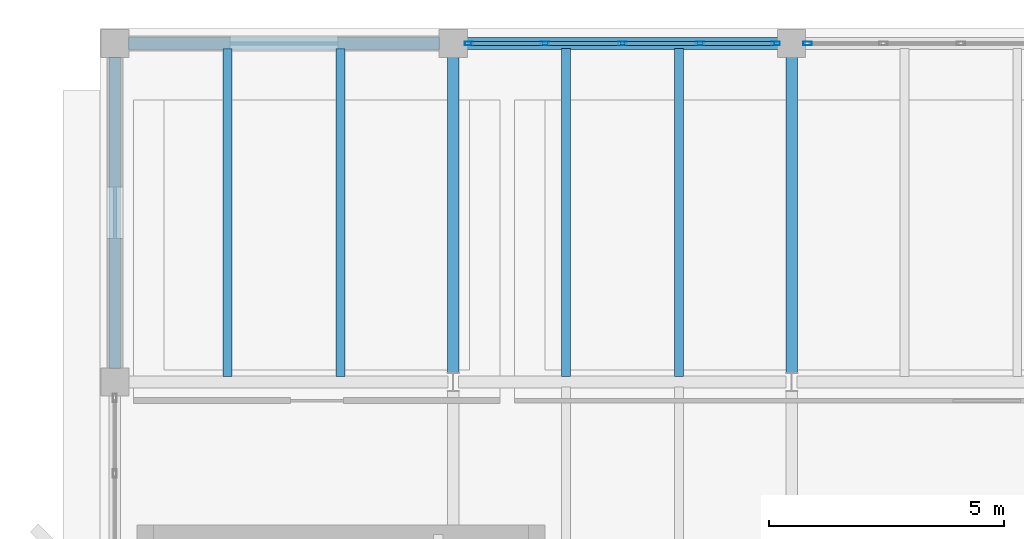
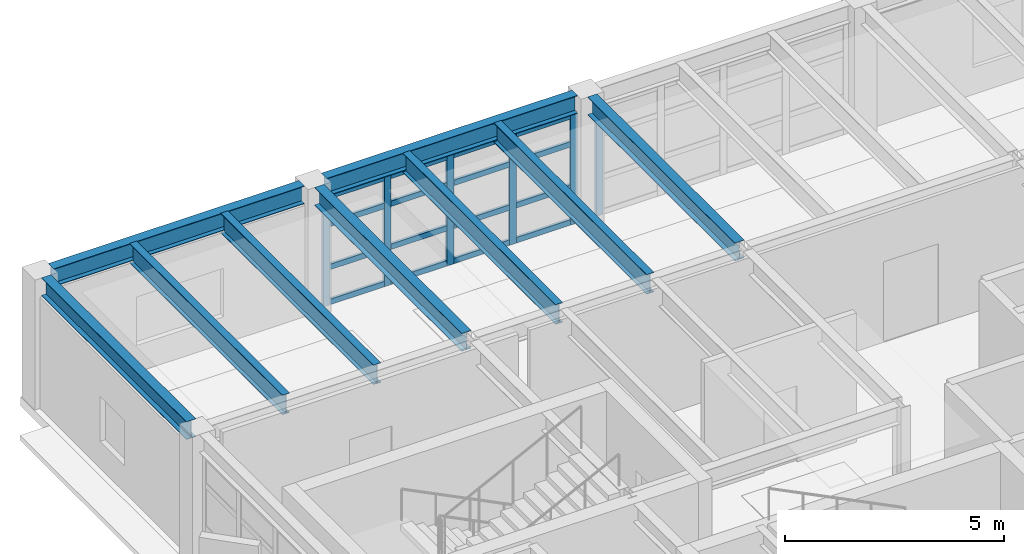
# One storey, part 8 of 19: 22 members, 9 beams, 2 elements without a shape of their own.
"""IFC4 building model written with IfcOpenShell, lengths in metres."""

from ifc_helpers import new_model, si_unit, direction, frame, origin, origin_2d, place, context, subcontext, project, spatial, hollow_rectangle, i_section, extrude, material, layer, layer_set, material_profile, profile_set, type_object, element, aggregate, save


model = new_model("IFC4")

# Units and contexts
model_context = context("Model", 3, precision=1e-05, world=origin(), true_north=direction((0.0, 1.0)))
body_context = subcontext(model_context, "Body", "Model", "MODEL_VIEW")
ifc_project = project(units=[si_unit("LENGTHUNIT", "METRE"), si_unit("AREAUNIT", "SQUARE_METRE"), si_unit("VOLUMEUNIT", "CUBIC_METRE"), si_unit("PLANEANGLEUNIT", "RADIAN"), si_unit("MASSUNIT", "GRAM", prefix="KILO")], contexts=[model_context])

# Site, building, storey
site_placement = place(None, origin())
site = spatial("IfcSite", under=ifc_project, at=site_placement, CompositionType="ELEMENT")
building_placement = place(site_placement, origin())
building = spatial("IfcBuilding", under=site, at=building_placement, Name="Kandorven Conservatory and Botanical Research Centre", CompositionType="ELEMENT")
storey_placement = place(building_placement, frame((0.0, 0.0, 28.800048828125)))
storey = spatial("IfcBuildingStorey", under=building, at=storey_placement, Name="L07", CompositionType="ELEMENT", Elevation=28.800048828125)

# Beams
ifc_material_1 = material(Name="Steel S355 (IS 2062 E350)", Category="steel")
ifc_material_profile_1 = material_profile(ifc_material_1, i_section(OverallWidth=0.25, OverallDepth=0.5, WebThickness=0.010009765625, FlangeThickness=0.0146484375, at=origin_2d()))
ifc_profile_set_1 = profile_set([ifc_material_profile_1], Name="Steel S355 (IS 2062 E350)")
beam_type_1 = type_object("IfcBeamType", Name="Beam_FG-02", PredefinedType="USERDEFINED", material=ifc_profile_set_1)
beam_placement = place(storey_placement, frame((6.2900390625, 34.800048828125, 3.369873046875), z_axis=(1.0, 0.0, 0.0), x_axis=(0.0, 1.0, 0.0)))
element("IfcBeam", 1, at=beam_placement, inside=storey, type_object=beam_type_1, Name="Primary girder FG-02 TWR L07", ObjectType="GIRDER", PredefinedType="USERDEFINED", context=body_context, shape_type="SweptSolid", body=[
    extrude(i_section(OverallWidth=0.25, OverallDepth=0.5, WebThickness=0.010009765625, FlangeThickness=0.0146484375, at=origin_2d()), origin(), (0.0, 0.0, 1.0), 6.619873046875),
])
for number, where, z_axis, x_axis, name in (
    (2, (13.489990234375, 34.800048828125, 3.369873046875), (1.0, 0.0, 0.0), (0.0, 1.0, 0.0), "Primary girder FG-02 TWR L07"),
    (3, (6.0, 27.889892578125, 3.369873046875), (0.0, 1.0, 0.0), (-1.0, 0.0, 0.0), "Primary girder FG-02 TWR L07"),
):
    element("IfcBeam", number, at=place(storey_placement, frame(where, z_axis=z_axis, x_axis=x_axis)), inside=storey, type_object=beam_type_1, Name=name, ObjectType="GIRDER", PredefinedType="USERDEFINED", context=body_context, shape_type="SweptSolid", body=[
        extrude(i_section(OverallWidth=0.25, OverallDepth=0.5, WebThickness=0.010009765625, FlangeThickness=0.0146484375, at=origin_2d()), origin(), (0.0, 0.0, 1.0), 6.6201171875),
    ])
for number, where, z_axis, x_axis, name in (
    (4, (13.199951171875, 27.7900390625, 3.369873046875), (0.0, 1.0, 0.0), (-1.0, 0.0, 0.0), "Primary girder FG-02 TWR L07"),
    (5, (20.39990234375, 27.7900390625, 3.369873046875), (0.0, 1.0, 0.0), (-1.0, 0.0, 0.0), "Primary girder FG-02 TWR L07"),
):
    element("IfcBeam", number, at=place(storey_placement, frame(where, z_axis=z_axis, x_axis=x_axis)), inside=storey, type_object=beam_type_1, Name=name, ObjectType="GIRDER", PredefinedType="USERDEFINED", context=body_context, shape_type="SweptSolid", body=[
        extrude(i_section(OverallWidth=0.25, OverallDepth=0.5, WebThickness=0.010009765625, FlangeThickness=0.0146484375, at=origin_2d()), origin(), (0.0, 0.0, 1.0), 6.719970703125),
    ])
ifc_material_2 = material(Name="Steel S355 (IS 2062 E350)", Category="steel")
ifc_material_profile_2 = material_profile(ifc_material_2, i_section(OverallWidth=0.18994140625, OverallDepth=0.550048828125, WebThickness=0.01123046875, FlangeThickness=0.019287109375, at=origin_2d()))
ifc_profile_set_2 = profile_set([ifc_material_profile_2], Name="Steel S355 (IS 2062 E350)")
beam_type_2 = type_object("IfcBeamType", Name="Beam_SB-02", PredefinedType="BEAM", material=ifc_profile_set_2)
for number, where, z_axis, x_axis, name in (
    (6, (8.39990234375, 27.7099609375, 3.344970703125), (0.0, 1.0, 0.0), (-1.0, 0.0, 0.0), "Composite secondary beam SB-02 TWR L07"),
    (7, (10.800048828125, 27.7099609375, 3.344970703125), (0.0, 1.0, 0.0), (-1.0, 0.0, 0.0), "Composite secondary beam SB-02 TWR L07"),
    (8, (15.60009765625, 27.7099609375, 3.344970703125), (0.0, 1.0, 0.0), (-1.0, 0.0, 0.0), "Composite secondary beam SB-02 TWR L07"),
    (9, (18.0, 27.7099609375, 3.344970703125), (0.0, 1.0, 0.0), (-1.0, 0.0, 0.0), "Composite secondary beam SB-02 TWR L07"),
):
    element("IfcBeam", number, at=place(storey_placement, frame(where, z_axis=z_axis, x_axis=x_axis)), inside=storey, type_object=beam_type_2, Name=name, PredefinedType="BEAM", context=body_context, shape_type="SweptSolid", body=[
        extrude(i_section(OverallWidth=0.18994140625, OverallDepth=0.550048828125, WebThickness=0.01123046875, FlangeThickness=0.019287109375, at=origin_2d()), origin(), (0.0, 0.0, 1.0), 6.97998046875),
    ])

# Curtain wall, members
ifc_material_3 = material(Name="Bronze anodised thermally broken aluminium", Category="aluminium")
ifc_layer = layer(ifc_material_3, 0.179931640625)
ifc_layer_set = layer_set([ifc_layer], Name="Bronze anodised thermally broken aluminium")
curtain_wall_type = type_object("IfcCurtainWallType", Name="CW_Unitised", PredefinedType="USERDEFINED", material=ifc_layer_set)
curtain_wall_1_placement = place(storey_placement, origin())
curtain_wall_1 = element("IfcCurtainWall", 10, at=curtain_wall_1_placement, inside=storey, type_object=curtain_wall_type, Name="Tower laboratory curtain wall CW-TWR-N-L07-2", ObjectType="UNITISED GLAZING", PredefinedType="USERDEFINED")
ifc_material_4 = material(Name="Bronze anodised thermally broken aluminium", Category="aluminium")
ifc_material_profile_3 = material_profile(ifc_material_4, hollow_rectangle(XDim=0.080078125, YDim=0.179931640625, WallThickness=0.006103515625, at=origin_2d()))
ifc_profile_set_3 = profile_set([ifc_material_profile_3], Name="Bronze anodised thermally broken aluminium")
member_type_1 = type_object("IfcMemberType", Name="CW_Mullion", PredefinedType="MULLION", material=ifc_profile_set_3)
member_1_placement = place(storey_placement, frame((13.5400390625, 34.800048828125, 0.0), z_axis=(0.0, 0.0, 1.0), x_axis=(0.0, 1.0, 0.0)))
member_1 = element("IfcMember", 11, at=member_1_placement, type_object=member_type_1, Name="CW-01 mullion 1", PredefinedType="MULLION", context=body_context, shape_type="SweptSolid", body=[
    extrude(hollow_rectangle(XDim=0.080078125, YDim=0.179931640625, WallThickness=0.006103515625, at=origin_2d()), origin(), (0.0, 0.0, 1.0), 3.099853515625),
])
member_2_placement = place(storey_placement, frame((15.14990234375, 34.800048828125, 0.0), z_axis=(0.0, 0.0, 1.0), x_axis=(0.0, 1.0, 0.0)))
member_2 = element("IfcMember", 12, at=member_2_placement, type_object=member_type_1, Name="CW-01 mullion 2", PredefinedType="MULLION", context=body_context, shape_type="SweptSolid", body=[
    extrude(hollow_rectangle(XDim=0.080078125, YDim=0.179931640625, WallThickness=0.006103515625, at=origin_2d()), origin(), (0.0, 0.0, 1.0), 3.099853515625),
])
member_3_placement = place(storey_placement, frame((16.800048828125, 34.800048828125, 0.0), z_axis=(0.0, 0.0, 1.0), x_axis=(0.0, 1.0, 0.0)))
member_3 = element("IfcMember", 13, at=member_3_placement, type_object=member_type_1, Name="CW-01 mullion 3", PredefinedType="MULLION", context=body_context, shape_type="SweptSolid", body=[
    extrude(hollow_rectangle(XDim=0.080078125, YDim=0.179931640625, WallThickness=0.006103515625, at=origin_2d()), origin(), (0.0, 0.0, 1.0), 3.099853515625),
])
member_4_placement = place(storey_placement, frame((18.449951171875, 34.800048828125, 0.0), z_axis=(0.0, 0.0, 1.0), x_axis=(0.0, 1.0, 0.0)))
member_4 = element("IfcMember", 14, at=member_4_placement, type_object=member_type_1, Name="CW-01 mullion 4", PredefinedType="MULLION", context=body_context, shape_type="SweptSolid", body=[
    extrude(hollow_rectangle(XDim=0.080078125, YDim=0.179931640625, WallThickness=0.006103515625, at=origin_2d()), origin(), (0.0, 0.0, 1.0), 3.099853515625),
])
member_5_placement = place(storey_placement, frame((20.06005859375, 34.800048828125, 0.0), z_axis=(0.0, 0.0, 1.0), x_axis=(0.0, 1.0, 0.0)))
member_5 = element("IfcMember", 15, at=member_5_placement, type_object=member_type_1, Name="CW-01 mullion 5", PredefinedType="MULLION", context=body_context, shape_type="SweptSolid", body=[
    extrude(hollow_rectangle(XDim=0.080078125, YDim=0.179931640625, WallThickness=0.006103515625, at=origin_2d()), origin(), (0.0, 0.0, 1.0), 3.099853515625),
])

# Curtain wall, member
curtain_wall_2_placement = place(storey_placement, origin())
curtain_wall_2 = element("IfcCurtainWall", 16, at=curtain_wall_2_placement, inside=storey, type_object=curtain_wall_type, Name="Tower laboratory curtain wall CW-TWR-N-L07-3", ObjectType="UNITISED GLAZING", PredefinedType="USERDEFINED")
member_6_placement = place(storey_placement, frame((20.739990234375, 34.800048828125, 0.0), z_axis=(0.0, 0.0, 1.0), x_axis=(0.0, 1.0, 0.0)))
member_6 = element("IfcMember", 17, at=member_6_placement, type_object=member_type_1, Name="CW-01 mullion 1", PredefinedType="MULLION", context=body_context, shape_type="SweptSolid", body=[
    extrude(hollow_rectangle(XDim=0.080078125, YDim=0.179931640625, WallThickness=0.006103515625, at=origin_2d()), origin(), (0.0, 0.0, 1.0), 3.099853515625),
])
aggregate(curtain_wall_2, [member_6])

# Member
ifc_material_5 = material(Name="Bronze anodised thermally broken aluminium", Category="aluminium")
ifc_material_profile_4 = material_profile(ifc_material_5, hollow_rectangle(XDim=0.074951171875, YDim=0.14990234375, WallThickness=0.006103515625, at=origin_2d()))
ifc_profile_set_4 = profile_set([ifc_material_profile_4], Name="Bronze anodised thermally broken aluminium")
member_type_2 = type_object("IfcMemberType", Name="CW_Transom", PredefinedType="USERDEFINED", material=ifc_profile_set_4)
member_7_placement = place(storey_placement, frame((13.580078125, 34.800048828125, 0.074951171875), z_axis=(1.0, 0.0, 0.0), x_axis=(0.0, 1.0, 0.0)))
member_7 = element("IfcMember", 18, at=member_7_placement, type_object=member_type_2, Name="CW-01 transom 1.1", ObjectType="TRANSOM", PredefinedType="USERDEFINED", context=body_context, shape_type="SweptSolid", body=[
    extrude(hollow_rectangle(XDim=0.074951171875, YDim=0.14990234375, WallThickness=0.006103515625, at=origin_2d()), origin(), (0.0, 0.0, 1.0), 1.530029296875),
])

member_8_placement = place(storey_placement, frame((13.580078125, 34.800048828125, 1.050048828125), z_axis=(1.0, 0.0, 0.0), x_axis=(0.0, 1.0, 0.0)))
member_8 = element("IfcMember", 19, at=member_8_placement, type_object=member_type_2, Name="CW-01 transom 1.2", ObjectType="TRANSOM", PredefinedType="USERDEFINED", context=body_context, shape_type="SweptSolid", body=[
    extrude(hollow_rectangle(XDim=0.074951171875, YDim=0.14990234375, WallThickness=0.006103515625, at=origin_2d()), origin(), (0.0, 0.0, 1.0), 1.530029296875),
])

member_9_placement = place(storey_placement, frame((13.580078125, 34.800048828125, 2.25), z_axis=(1.0, 0.0, 0.0), x_axis=(0.0, 1.0, 0.0)))
member_9 = element("IfcMember", 20, at=member_9_placement, type_object=member_type_2, Name="CW-01 transom 1.3", ObjectType="TRANSOM", PredefinedType="USERDEFINED", context=body_context, shape_type="SweptSolid", body=[
    extrude(hollow_rectangle(XDim=0.074951171875, YDim=0.14990234375, WallThickness=0.006103515625, at=origin_2d()), origin(), (0.0, 0.0, 1.0), 1.530029296875),
])

member_10_placement = place(storey_placement, frame((13.580078125, 34.800048828125, 3.02490234375), z_axis=(1.0, 0.0, 0.0), x_axis=(0.0, 1.0, 0.0)))
member_10 = element("IfcMember", 21, at=member_10_placement, type_object=member_type_2, Name="CW-01 transom 1.4", ObjectType="TRANSOM", PredefinedType="USERDEFINED", context=body_context, shape_type="SweptSolid", body=[
    extrude(hollow_rectangle(XDim=0.074951171875, YDim=0.14990234375, WallThickness=0.006103515625, at=origin_2d()), origin(), (0.0, 0.0, 1.0), 1.530029296875),
])

member_11_placement = place(storey_placement, frame((15.18994140625, 34.800048828125, 0.074951171875), z_axis=(1.0, 0.0, 0.0), x_axis=(0.0, 1.0, 0.0)))
member_11 = element("IfcMember", 22, at=member_11_placement, type_object=member_type_2, Name="CW-01 transom 2.1", ObjectType="TRANSOM", PredefinedType="USERDEFINED", context=body_context, shape_type="SweptSolid", body=[
    extrude(hollow_rectangle(XDim=0.074951171875, YDim=0.14990234375, WallThickness=0.006103515625, at=origin_2d()), origin(), (0.0, 0.0, 1.0), 1.570068359375),
])

member_12_placement = place(storey_placement, frame((15.18994140625, 34.800048828125, 1.050048828125), z_axis=(1.0, 0.0, 0.0), x_axis=(0.0, 1.0, 0.0)))
member_12 = element("IfcMember", 23, at=member_12_placement, type_object=member_type_2, Name="CW-01 transom 2.2", ObjectType="TRANSOM", PredefinedType="USERDEFINED", context=body_context, shape_type="SweptSolid", body=[
    extrude(hollow_rectangle(XDim=0.074951171875, YDim=0.14990234375, WallThickness=0.006103515625, at=origin_2d()), origin(), (0.0, 0.0, 1.0), 1.570068359375),
])

member_13_placement = place(storey_placement, frame((15.18994140625, 34.800048828125, 2.25), z_axis=(1.0, 0.0, 0.0), x_axis=(0.0, 1.0, 0.0)))
member_13 = element("IfcMember", 24, at=member_13_placement, type_object=member_type_2, Name="CW-01 transom 2.3", ObjectType="TRANSOM", PredefinedType="USERDEFINED", context=body_context, shape_type="SweptSolid", body=[
    extrude(hollow_rectangle(XDim=0.074951171875, YDim=0.14990234375, WallThickness=0.006103515625, at=origin_2d()), origin(), (0.0, 0.0, 1.0), 1.570068359375),
])

member_14_placement = place(storey_placement, frame((15.18994140625, 34.800048828125, 3.02490234375), z_axis=(1.0, 0.0, 0.0), x_axis=(0.0, 1.0, 0.0)))
member_14 = element("IfcMember", 25, at=member_14_placement, type_object=member_type_2, Name="CW-01 transom 2.4", ObjectType="TRANSOM", PredefinedType="USERDEFINED", context=body_context, shape_type="SweptSolid", body=[
    extrude(hollow_rectangle(XDim=0.074951171875, YDim=0.14990234375, WallThickness=0.006103515625, at=origin_2d()), origin(), (0.0, 0.0, 1.0), 1.570068359375),
])

member_15_placement = place(storey_placement, frame((16.840087890625, 34.800048828125, 0.074951171875), z_axis=(1.0, 0.0, 0.0), x_axis=(0.0, 1.0, 0.0)))
member_15 = element("IfcMember", 26, at=member_15_placement, type_object=member_type_2, Name="CW-01 transom 3.1", ObjectType="TRANSOM", PredefinedType="USERDEFINED", context=body_context, shape_type="SweptSolid", body=[
    extrude(hollow_rectangle(XDim=0.074951171875, YDim=0.14990234375, WallThickness=0.006103515625, at=origin_2d()), origin(), (0.0, 0.0, 1.0), 1.56982421875),
])

member_16_placement = place(storey_placement, frame((16.840087890625, 34.800048828125, 1.050048828125), z_axis=(1.0, 0.0, 0.0), x_axis=(0.0, 1.0, 0.0)))
member_16 = element("IfcMember", 27, at=member_16_placement, type_object=member_type_2, Name="CW-01 transom 3.2", ObjectType="TRANSOM", PredefinedType="USERDEFINED", context=body_context, shape_type="SweptSolid", body=[
    extrude(hollow_rectangle(XDim=0.074951171875, YDim=0.14990234375, WallThickness=0.006103515625, at=origin_2d()), origin(), (0.0, 0.0, 1.0), 1.56982421875),
])

member_17_placement = place(storey_placement, frame((16.840087890625, 34.800048828125, 2.25), z_axis=(1.0, 0.0, 0.0), x_axis=(0.0, 1.0, 0.0)))
member_17 = element("IfcMember", 28, at=member_17_placement, type_object=member_type_2, Name="CW-01 transom 3.3", ObjectType="TRANSOM", PredefinedType="USERDEFINED", context=body_context, shape_type="SweptSolid", body=[
    extrude(hollow_rectangle(XDim=0.074951171875, YDim=0.14990234375, WallThickness=0.006103515625, at=origin_2d()), origin(), (0.0, 0.0, 1.0), 1.56982421875),
])

member_18_placement = place(storey_placement, frame((16.840087890625, 34.800048828125, 3.02490234375), z_axis=(1.0, 0.0, 0.0), x_axis=(0.0, 1.0, 0.0)))
member_18 = element("IfcMember", 29, at=member_18_placement, type_object=member_type_2, Name="CW-01 transom 3.4", ObjectType="TRANSOM", PredefinedType="USERDEFINED", context=body_context, shape_type="SweptSolid", body=[
    extrude(hollow_rectangle(XDim=0.074951171875, YDim=0.14990234375, WallThickness=0.006103515625, at=origin_2d()), origin(), (0.0, 0.0, 1.0), 1.56982421875),
])

member_19_placement = place(storey_placement, frame((18.489990234375, 34.800048828125, 0.074951171875), z_axis=(1.0, 0.0, 0.0), x_axis=(0.0, 1.0, 0.0)))
member_19 = element("IfcMember", 30, at=member_19_placement, type_object=member_type_2, Name="CW-01 transom 4.1", ObjectType="TRANSOM", PredefinedType="USERDEFINED", context=body_context, shape_type="SweptSolid", body=[
    extrude(hollow_rectangle(XDim=0.074951171875, YDim=0.14990234375, WallThickness=0.006103515625, at=origin_2d()), origin(), (0.0, 0.0, 1.0), 1.530029296875),
])

member_20_placement = place(storey_placement, frame((18.489990234375, 34.800048828125, 1.050048828125), z_axis=(1.0, 0.0, 0.0), x_axis=(0.0, 1.0, 0.0)))
member_20 = element("IfcMember", 31, at=member_20_placement, type_object=member_type_2, Name="CW-01 transom 4.2", ObjectType="TRANSOM", PredefinedType="USERDEFINED", context=body_context, shape_type="SweptSolid", body=[
    extrude(hollow_rectangle(XDim=0.074951171875, YDim=0.14990234375, WallThickness=0.006103515625, at=origin_2d()), origin(), (0.0, 0.0, 1.0), 1.530029296875),
])

member_21_placement = place(storey_placement, frame((18.489990234375, 34.800048828125, 2.25), z_axis=(1.0, 0.0, 0.0), x_axis=(0.0, 1.0, 0.0)))
member_21 = element("IfcMember", 32, at=member_21_placement, type_object=member_type_2, Name="CW-01 transom 4.3", ObjectType="TRANSOM", PredefinedType="USERDEFINED", context=body_context, shape_type="SweptSolid", body=[
    extrude(hollow_rectangle(XDim=0.074951171875, YDim=0.14990234375, WallThickness=0.006103515625, at=origin_2d()), origin(), (0.0, 0.0, 1.0), 1.530029296875),
])

member_22_placement = place(storey_placement, frame((18.489990234375, 34.800048828125, 3.02490234375), z_axis=(1.0, 0.0, 0.0), x_axis=(0.0, 1.0, 0.0)))
member_22 = element("IfcMember", 33, at=member_22_placement, type_object=member_type_2, Name="CW-01 transom 4.4", ObjectType="TRANSOM", PredefinedType="USERDEFINED", context=body_context, shape_type="SweptSolid", body=[
    extrude(hollow_rectangle(XDim=0.074951171875, YDim=0.14990234375, WallThickness=0.006103515625, at=origin_2d()), origin(), (0.0, 0.0, 1.0), 1.530029296875),
])

aggregate(curtain_wall_1, [member_1, member_2, member_3, member_4, member_5, member_7, member_8, member_9, member_10, member_11, member_12, member_13, member_14, member_15, member_16, member_17, member_18, member_19, member_20, member_21, member_22])

save(model, "model.ifc")
